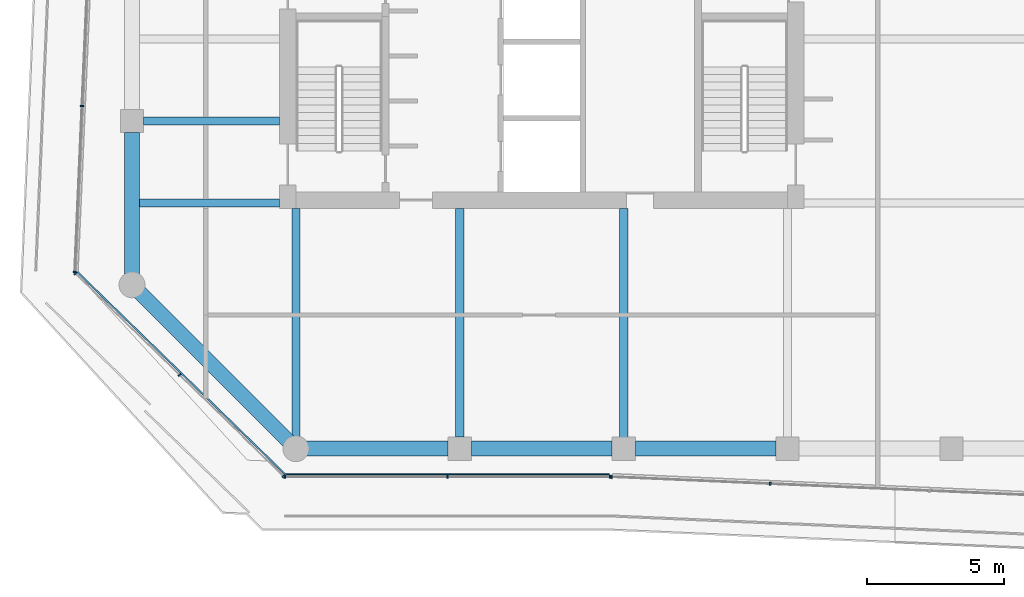
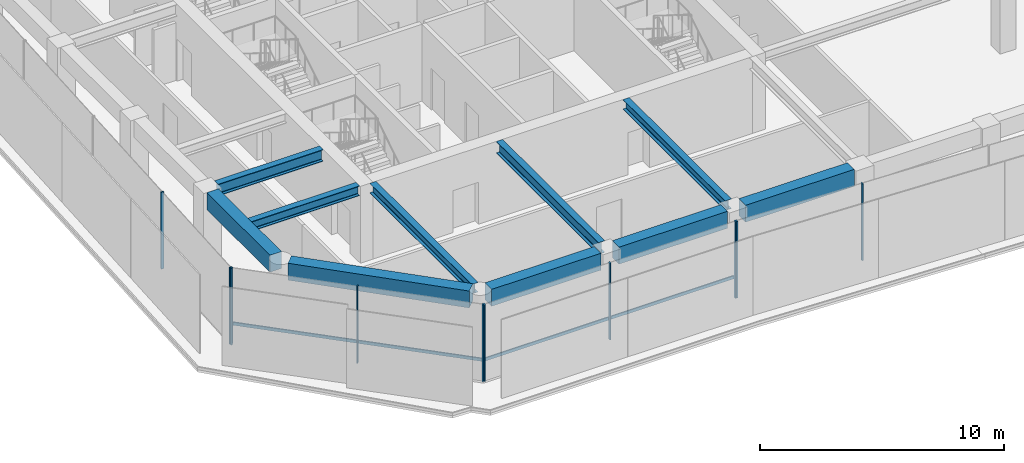
# One storey, part 2 of 21: 12 members, 10 beams, 4 elements without a shape of their own.
"""IFC4 building model written with IfcOpenShell, lengths in metres."""

import ifcopenshell
import ifcopenshell.guid

model = None  # the IFC model being written
_history = None  # IfcOwnerHistory: only IFC2X3 demands one
_inside = {}  # id of a spatial element -> (the spatial element, [elements in it])
_under = {}  # id of a project, library or spatial element -> (it, [spatial elements below it])
_declared = {}  # id of a project -> (the project, [libraries it declares])
_typed = {}  # id of a type object -> (the type object, [elements of that type])
_made_of = {}  # id of a material, layer set ... -> (it, [elements and type objects made of it])


def new_model(schema):
    """Start an empty IFC model of exactly this schema.

    Asked for "IFC4X3", IfcOpenShell would pick the latest addendum, in which some entities
    have other attributes; the version numbers below select the first issue.
    IFC2X3 requires an IfcOwnerHistory on every rooted entity: one is made here for all.
    """
    global model, _history
    if schema == "IFC4X3":
        model = ifcopenshell.file(schema_version=(4, 3, 0, 0))
    else:
        model = ifcopenshell.file(schema=schema)
    _inside.clear()
    _under.clear()
    _declared.clear()
    _typed.clear()
    _made_of.clear()
    _history = None
    if model.schema == "IFC2X3":
        org = make("IfcOrganization", Name="unknown")
        user = make(
            "IfcPersonAndOrganization",
            ThePerson=make("IfcPerson", FamilyName="unknown"),
            TheOrganization=org,
        )
        app = make(
            "IfcApplication",
            ApplicationDeveloper=org,
            Version="unknown",
            ApplicationFullName="unknown",
            ApplicationIdentifier="unknown",
        )
        _history = make(
            "IfcOwnerHistory",
            OwningUser=user,
            OwningApplication=app,
            ChangeAction="ADDED",
            CreationDate=0,
        )
    return model


def make(cls, **values):
    """One entity of the class cls with the attributes given. An attribute that is None is left unset."""
    return model.create_entity(
        cls, **{name: value for name, value in values.items() if value is not None}
    )


def rooted(cls, **values):
    """An entity with a GlobalId (a new one), such as an element, a storey or a relation."""
    return make(cls, GlobalId=ifcopenshell.guid.new(), OwnerHistory=_history, **values)


def si_unit(unit_type, name, prefix=None):
    """IfcSIUnit, for example si_unit("LENGTHUNIT", "METRE", prefix="MILLI")."""
    return make("IfcSIUnit", UnitType=unit_type, Prefix=prefix, Name=name)


def assignment(units):
    """IfcUnitAssignment: the units of a project."""
    return None if units is None else make("IfcUnitAssignment", Units=units)


def point(xyz):
    """IfcCartesianPoint."""
    return None if xyz is None else make("IfcCartesianPoint", Coordinates=xyz)


def direction(xyz):
    """IfcDirection."""
    return None if xyz is None else make("IfcDirection", DirectionRatios=xyz)


def frame(location, z_axis=None, x_axis=None):
    """IfcAxis2Placement3D, a coordinate frame: its origin and axes. An axis left out is left unset."""
    return make(
        "IfcAxis2Placement3D",
        Location=point(location),
        Axis=direction(z_axis),
        RefDirection=direction(x_axis),
    )


def frame_2d(location, x_axis=None):
    """IfcAxis2Placement2D, a coordinate frame in the plane: its origin and x axis."""
    return make(
        "IfcAxis2Placement2D", Location=point(location), RefDirection=direction(x_axis)
    )


def origin():
    """The frame at (0, 0, 0) with its axes left unset."""
    return frame((0.0, 0.0, 0.0))


def origin_2d():
    """The frame at (0, 0) in the plane with its x axis left unset."""
    return frame_2d((0.0, 0.0))


def place(relative_to, where):
    """IfcLocalPlacement: puts the frame where relative to a parent placement (None: the world)."""
    return make(
        "IfcLocalPlacement", PlacementRelTo=relative_to, RelativePlacement=where
    )


def context(
    kind, dimensions, precision=None, world=None, true_north=None, identifier=None
):
    """IfcGeometricRepresentationContext, for example the 3D "Model" context."""
    return make(
        "IfcGeometricRepresentationContext",
        ContextIdentifier=identifier,
        ContextType=kind,
        CoordinateSpaceDimension=dimensions,
        Precision=precision,
        WorldCoordinateSystem=world,
        TrueNorth=true_north,
    )


def subcontext(parent, identifier, kind, view, scale=None):
    """IfcGeometricRepresentationSubContext, for example "Body" below "Model"."""
    return make(
        "IfcGeometricRepresentationSubContext",
        ContextIdentifier=identifier,
        ContextType=kind,
        ParentContext=parent,
        TargetScale=scale,
        TargetView=view,
    )


def project(units=None, contexts=None):
    """IfcProject with its units and contexts."""
    return rooted(
        "IfcProject",
        Name="project",
        RepresentationContexts=contexts,
        UnitsInContext=assignment(units),
    )


def spatial(cls, under=None, at=None, **own):
    """A site, building, storey or space (cls), placed at a placement, below another one or the project."""
    s = rooted(cls, ObjectPlacement=at, **own)
    if under is not None:
        _under.setdefault(under.id(), (under, []))[1].append(s)
    return s


def profile(cls, at=None, kind="AREA", **sizes):
    """A parametric profile (cls). Its sizes go by their IFC names, for example OverallWidth=200.0."""
    return make(cls, ProfileType=kind, Position=at, **sizes)


def rectangle(**sizes):
    """IfcRectangleProfileDef."""
    return profile("IfcRectangleProfileDef", **sizes)


def i_section(**sizes):
    """IfcIShapeProfileDef."""
    return profile("IfcIShapeProfileDef", **sizes)


def extrude(swept, where, along, depth):
    """IfcExtrudedAreaSolid: the profile swept, set in the frame where, extruded along a direction by depth."""
    return make(
        "IfcExtrudedAreaSolid",
        SweptArea=swept,
        Position=where,
        ExtrudedDirection=direction(along),
        Depth=depth,
    )


def shape(context_of_items, identifier, shape_type, items):
    """IfcShapeRepresentation: the items that make up one representation, for example the "Body"."""
    return make(
        "IfcShapeRepresentation",
        ContextOfItems=context_of_items,
        RepresentationIdentifier=identifier,
        RepresentationType=shape_type,
        Items=items,
    )


def material(Name=None, Category=None):
    """IfcMaterial."""
    return make("IfcMaterial", Name=Name, Category=Category)


def layer(
    of_material, thickness, ventilated=None, Name=None, Category=None, Priority=None
):
    """IfcMaterialLayer: one layer of a wall or slab, of a material (None: an air gap)."""
    return make(
        "IfcMaterialLayer",
        Material=of_material,
        LayerThickness=thickness,
        IsVentilated=ventilated,
        Name=Name,
        Category=Category,
        Priority=Priority,
    )


def layer_set(layers, Name=None):
    """IfcMaterialLayerSet."""
    return make("IfcMaterialLayerSet", MaterialLayers=layers, LayerSetName=Name)


def material_profile(
    of_material, cross_section, Name=None, Category=None, Priority=None
):
    """IfcMaterialProfile: a cross section and its material."""
    return make(
        "IfcMaterialProfile",
        Name=Name,
        Material=of_material,
        Profile=cross_section,
        Priority=Priority,
        Category=Category,
    )


def profile_set(profiles, Name=None, composite=None):
    """IfcMaterialProfileSet."""
    return make(
        "IfcMaterialProfileSet",
        Name=Name,
        MaterialProfiles=profiles,
        CompositeProfile=composite,
    )


def made_of(thing, what):
    """Note that an element or type object is made of a material, layer set ...; save() writes the relation."""
    if what is not None:
        _made_of.setdefault(what.id(), (what, []))[1].append(thing)
    return thing


def type_object(cls, material=None, **own):
    """A type object (cls), such as IfcWallType, which elements share."""
    return made_of(rooted(cls, **own), material)


def element(
    cls,
    number,
    at=None,
    inside=None,
    cuts=None,
    type_object=None,
    material=None,
    context=None,
    identifier="Body",
    shape_type=None,
    held_by="IfcProductDefinitionShape",
    body=None,
    shapes=None,
    **own,
):
    """One element of the class cls, such as IfcWall. Its Tag is "e" and its number.

    at: its placement. inside: the storey or other place that contains it. cuts: it is an
    opening in that element (IfcRelVoidsElement). A single representation is given by context,
    identifier, shape_type and body (its items); several are given by shapes. held_by: the class
    of the entity that holds the representations. save() writes the other relations.
    """
    e = rooted(cls, Tag="e%d" % number, ObjectPlacement=at, **own)
    if body is not None:
        shapes = [shape(context, identifier, shape_type, body)]
    if shapes is not None:
        e.Representation = make(held_by, Representations=shapes)
    if inside is not None:
        _inside.setdefault(inside.id(), (inside, []))[1].append(e)
    if cuts is not None:
        rooted(
            "IfcRelVoidsElement", RelatingBuildingElement=cuts, RelatedOpeningElement=e
        )
    if type_object is not None:
        _typed.setdefault(type_object.id(), (type_object, []))[1].append(e)
    return made_of(e, material)


def aggregate(whole, parts):
    """IfcRelAggregates: a whole, such as a stair, and the parts it consists of."""
    return rooted("IfcRelAggregates", RelatingObject=whole, RelatedObjects=parts)


def save(model, path):
    """Write the relations noted so far, then the file.

    IfcRelAggregates (storeys below a building ...), IfcRelContainedInSpatialStructure (elements
    in a storey), IfcRelDefinesByType, IfcRelAssociatesMaterial and IfcRelDeclares: one each for
    every whole, place, type object, material and project.
    """
    for whole, parts in _under.values():
        aggregate(whole, parts)
    for where, things in _inside.values():
        rooted(
            "IfcRelContainedInSpatialStructure",
            RelatedElements=things,
            RelatingStructure=where,
        )
    for kind, things in _typed.values():
        rooted("IfcRelDefinesByType", RelatedObjects=things, RelatingType=kind)
    for what, things in _made_of.values():
        rooted("IfcRelAssociatesMaterial", RelatedObjects=things, RelatingMaterial=what)
    for by, libraries in _declared.values():
        rooted("IfcRelDeclares", RelatingContext=by, RelatedDefinitions=libraries)
    model.write(path)


model = new_model("IFC4")

# Units and contexts
model_context = context("Model", 3, precision=1e-05, world=origin(), true_north=direction((0.0, 1.0)))
body_context = subcontext(model_context, "Body", "Model", "MODEL_VIEW")
ifc_project = project(units=[si_unit("LENGTHUNIT", "METRE"), si_unit("AREAUNIT", "SQUARE_METRE"), si_unit("VOLUMEUNIT", "CUBIC_METRE"), si_unit("PLANEANGLEUNIT", "RADIAN"), si_unit("MASSUNIT", "GRAM", prefix="KILO")], contexts=[model_context])

# Site, building, storey
site_placement = place(None, origin())
site = spatial("IfcSite", under=ifc_project, at=site_placement, CompositionType="ELEMENT")
building_placement = place(site_placement, origin())
building = spatial("IfcBuilding", under=site, at=building_placement, Name="Welwitschia Terrace Campus", CompositionType="ELEMENT")
storey_placement = place(building_placement, frame((0.0, 0.0, 159.199951171875)))
storey = spatial("IfcBuildingStorey", under=building, at=storey_placement, Name="L35", CompositionType="ELEMENT", Elevation=159.199951171875)

# Beams
ifc_material_1 = material(Name="Steel S355", Category="steel")
ifc_material_profile_1 = material_profile(ifc_material_1, i_section(OverallWidth=0.300048828125, OverallDepth=0.489990234375, WebThickness=0.011962890625, FlangeThickness=0.02294921875, FilletRadius=0.027099609375, at=origin_2d()))
ifc_profile_set_1 = profile_set([ifc_material_profile_1], Name="Steel S355")
beam_type_1 = type_object("IfcBeamType", Name="Interior girder HE 500 A", PredefinedType="BEAM", material=ifc_profile_set_1)
beam_1_placement = place(storey_placement, frame((-0.010009765625, 5.0, 3.60498046875), z_axis=(1.0, 0.0, 0.0), x_axis=(0.0, 1.0, 0.0)))
element("IfcBeam", 1, at=beam_1_placement, inside=storey, type_object=beam_type_1, Name="Girder GB4", PredefinedType="BEAM", context=body_context, shape_type="SweptSolid", body=[
    extrude(i_section(OverallWidth=0.300048828125, OverallDepth=0.489990234375, WebThickness=0.011962890625, FlangeThickness=0.02294921875, FilletRadius=0.027099609375, at=origin_2d()), origin(), (0.0, 0.0, 1.0), 5.408935546875),
])
beam_2_placement = place(storey_placement, frame((6.0, -3.55859375, 3.60498046875), z_axis=(0.0, 1.0, 0.0), x_axis=(-1.0, 0.0, 0.0)))
element("IfcBeam", 2, at=beam_2_placement, inside=storey, type_object=beam_type_1, Name="Girder GB4", PredefinedType="BEAM", context=body_context, shape_type="SweptSolid", body=[
    extrude(i_section(OverallWidth=0.300048828125, OverallDepth=0.489990234375, WebThickness=0.011962890625, FlangeThickness=0.02294921875, FilletRadius=0.027099609375, at=origin_2d()), origin(), (0.0, 0.0, 1.0), 8.357666015625),
])
beam_3_placement = place(storey_placement, frame((18.0, -3.58447265625, 3.60498046875), z_axis=(0.0, 1.0, 0.0), x_axis=(-1.0, 0.0, 0.0)))
element("IfcBeam", 3, at=beam_3_placement, inside=storey, type_object=beam_type_1, Name="Girder GB4", PredefinedType="BEAM", context=body_context, shape_type="SweptSolid", body=[
    extrude(i_section(OverallWidth=0.300048828125, OverallDepth=0.489990234375, WebThickness=0.011962890625, FlangeThickness=0.02294921875, FilletRadius=0.027099609375, at=origin_2d()), origin(), (0.0, 0.0, 1.0), 8.383544921875),
])

# Curtain wall, members
ifc_material_2 = material(Name="Bronze anodised aluminium", Category="aluminium")
ifc_layer = layer(ifc_material_2, 0.1201171875)
ifc_layer_set = layer_set([ifc_layer], Name="Bronze anodised aluminium")
curtain_wall_type = type_object("IfcCurtainWallType", Name="Curtain wall CW2 tower 6000", PredefinedType="NOTDEFINED", material=ifc_layer_set)
curtain_wall_1_placement = place(storey_placement, origin())
curtain_wall_1 = element("IfcCurtainWall", 4, at=curtain_wall_1_placement, inside=storey, type_object=curtain_wall_type, Name="CW L35.0.0", PredefinedType="NOTDEFINED")
ifc_material_3 = material(Name="Bronze anodised aluminium", Category="aluminium")
ifc_material_profile_2 = material_profile(ifc_material_3, rectangle(XDim=0.1201171875, YDim=0.06005859375, at=origin_2d()))
ifc_profile_set_2 = profile_set([ifc_material_profile_2], Name="Bronze anodised aluminium")
member_type_1 = type_object("IfcMemberType", Name="Mullion 60x120", PredefinedType="MULLION", material=ifc_profile_set_2)
member_1_placement = place(storey_placement, frame((-1.830078125, 8.544677734375, 0.0), z_axis=(0.0, 0.0, 1.0), x_axis=(0.999048221582, -0.043619387365, 0.0)))
member_1 = element("IfcMember", 5, at=member_1_placement, type_object=member_type_1, Name="Mullion L35.0.0.3", PredefinedType="MULLION", context=body_context, shape_type="SweptSolid", body=[
    extrude(rectangle(XDim=0.1201171875, YDim=0.06005859375, at=origin_2d()), origin(), (0.0, 0.0, 1.0), 3.85009765625),
])
member_2_placement = place(storey_placement, frame((-2.095458984375, 2.46630859375, 0.0), z_axis=(0.0, 0.0, 1.0), x_axis=(0.999048221582, -0.043619387365, 0.0)))
member_2 = element("IfcMember", 6, at=member_2_placement, type_object=member_type_1, Name="Mullion L35.0.0.4", PredefinedType="MULLION", context=body_context, shape_type="SweptSolid", body=[
    extrude(rectangle(XDim=0.1201171875, YDim=0.06005859375, at=origin_2d()), origin(), (0.0, 0.0, 1.0), 3.85009765625),
])
aggregate(curtain_wall_1, [member_1, member_2])

curtain_wall_2_placement = place(storey_placement, origin())
curtain_wall_2 = element("IfcCurtainWall", 7, at=curtain_wall_2_placement, inside=storey, type_object=curtain_wall_type, Name="CW L35.1.0", PredefinedType="NOTDEFINED")
member_3_placement = place(storey_placement, frame((-2.0751953125, 2.41552734375, 0.0), z_axis=(0.0, 0.0, 1.0), x_axis=(0.697529610112, 0.716555959445, 0.0)))
member_3 = element("IfcMember", 8, at=member_3_placement, type_object=member_type_1, Name="Mullion L35.1.0.0", PredefinedType="MULLION", context=body_context, shape_type="SweptSolid", body=[
    extrude(rectangle(XDim=0.1201171875, YDim=0.06005859375, at=origin_2d()), origin(), (0.0, 0.0, 1.0), 3.85009765625),
])
member_4_placement = place(storey_placement, frame((1.73828125, -1.296875, 0.0), z_axis=(0.0, 0.0, 1.0), x_axis=(0.697529610112, 0.716555959445, 0.0)))
member_4 = element("IfcMember", 9, at=member_4_placement, type_object=member_type_1, Name="Mullion L35.1.0.1", PredefinedType="MULLION", context=body_context, shape_type="SweptSolid", body=[
    extrude(rectangle(XDim=0.1201171875, YDim=0.06005859375, at=origin_2d()), origin(), (0.0, 0.0, 1.0), 3.85009765625),
])
member_5_placement = place(storey_placement, frame((5.5517578125, -5.009033203125, 0.0), z_axis=(0.0, 0.0, 1.0), x_axis=(0.697529610112, 0.716555959445, 0.0)))
member_5 = element("IfcMember", 10, at=member_5_placement, type_object=member_type_1, Name="Mullion L35.1.0.2", PredefinedType="MULLION", context=body_context, shape_type="SweptSolid", body=[
    extrude(rectangle(XDim=0.1201171875, YDim=0.06005859375, at=origin_2d()), origin(), (0.0, 0.0, 1.0), 3.85009765625),
])

curtain_wall_3_placement = place(storey_placement, origin())
curtain_wall_3 = element("IfcCurtainWall", 11, at=curtain_wall_3_placement, inside=storey, type_object=curtain_wall_type, Name="CW L35.2.0", PredefinedType="NOTDEFINED")
member_6_placement = place(storey_placement, frame((5.603271484375, -5.030029296875, 0.0), z_axis=(0.0, 0.0, 1.0), x_axis=(0.0, 1.0, 0.0)))
member_6 = element("IfcMember", 12, at=member_6_placement, type_object=member_type_1, Name="Mullion L35.2.0.0", PredefinedType="MULLION", context=body_context, shape_type="SweptSolid", body=[
    extrude(rectangle(XDim=0.1201171875, YDim=0.06005859375, at=origin_2d()), origin(), (0.0, 0.0, 1.0), 3.85009765625),
])
member_7_placement = place(storey_placement, frame((11.55029296875, -5.030029296875, 0.0), z_axis=(0.0, 0.0, 1.0), x_axis=(0.0, 1.0, 0.0)))
member_7 = element("IfcMember", 13, at=member_7_placement, type_object=member_type_1, Name="Mullion L35.2.0.1", PredefinedType="MULLION", context=body_context, shape_type="SweptSolid", body=[
    extrude(rectangle(XDim=0.1201171875, YDim=0.06005859375, at=origin_2d()), origin(), (0.0, 0.0, 1.0), 3.85009765625),
])
member_8_placement = place(storey_placement, frame((17.497314453125, -5.030029296875, 0.0), z_axis=(0.0, 0.0, 1.0), x_axis=(0.0, 1.0, 0.0)))
member_8 = element("IfcMember", 14, at=member_8_placement, type_object=member_type_1, Name="Mullion L35.2.0.2", PredefinedType="MULLION", context=body_context, shape_type="SweptSolid", body=[
    extrude(rectangle(XDim=0.1201171875, YDim=0.06005859375, at=origin_2d()), origin(), (0.0, 0.0, 1.0), 3.85009765625),
])

curtain_wall_4_placement = place(storey_placement, origin())
curtain_wall_4 = element("IfcCurtainWall", 15, at=curtain_wall_4_placement, inside=storey, type_object=curtain_wall_type, Name="CW L35.3.0", PredefinedType="NOTDEFINED")
member_9_placement = place(storey_placement, frame((17.55712890625, -5.03125, 0.0), z_axis=(0.0, 0.0, 1.0), x_axis=(0.043619387365, 0.999048221582, 0.0)))
member_9 = element("IfcMember", 16, at=member_9_placement, type_object=member_type_1, Name="Mullion L35.3.0.0", PredefinedType="MULLION", context=body_context, shape_type="SweptSolid", body=[
    extrude(rectangle(XDim=0.1201171875, YDim=0.06005859375, at=origin_2d()), origin(), (0.0, 0.0, 1.0), 3.85009765625),
])
member_10_placement = place(storey_placement, frame((23.363525390625, -5.284912109375, 0.0), z_axis=(0.0, 0.0, 1.0), x_axis=(0.043619387365, 0.999048221582, 0.0)))
member_10 = element("IfcMember", 17, at=member_10_placement, type_object=member_type_1, Name="Mullion L35.3.0.1", PredefinedType="MULLION", context=body_context, shape_type="SweptSolid", body=[
    extrude(rectangle(XDim=0.1201171875, YDim=0.06005859375, at=origin_2d()), origin(), (0.0, 0.0, 1.0), 3.85009765625),
])
aggregate(curtain_wall_4, [member_9, member_10])

# Beams
ifc_material_4 = material(Name="Steel S355", Category="steel")
ifc_material_profile_3 = material_profile(ifc_material_4, i_section(OverallWidth=0.300048828125, OverallDepth=0.590087890625, WebThickness=0.012939453125, FlangeThickness=0.02490234375, FilletRadius=0.027099609375, at=origin_2d()))
ifc_profile_set_3 = profile_set([ifc_material_profile_3], Name="Steel S355")
beam_type_2 = type_object("IfcBeamType", Name="Primary beam HE 600 A", PredefinedType="BEAM", material=ifc_profile_set_3)
beam_4_placement = place(storey_placement, frame((12.0, -3.574462890625, 3.554931640625), z_axis=(0.0, 1.0, 0.0), x_axis=(-1.0, 0.0, 0.0)))
element("IfcBeam", 18, at=beam_4_placement, inside=storey, type_object=beam_type_2, Name="Primary beam PB4", PredefinedType="BEAM", context=body_context, shape_type="SweptSolid", body=[
    extrude(i_section(OverallWidth=0.300048828125, OverallDepth=0.590087890625, WebThickness=0.012939453125, FlangeThickness=0.02490234375, FilletRadius=0.027099609375, at=origin_2d()), origin(), (0.0, 0.0, 1.0), 8.37451171875),
])
beam_5_placement = place(storey_placement, frame((0.425537109375, 8.0, 3.554931640625), z_axis=(1.0, 0.0, 0.0), x_axis=(0.0, 1.0, 0.0)))
element("IfcBeam", 19, at=beam_5_placement, inside=storey, type_object=beam_type_2, Name="Primary beam PB4", PredefinedType="BEAM", context=body_context, shape_type="SweptSolid", body=[
    extrude(i_section(OverallWidth=0.300048828125, OverallDepth=0.590087890625, WebThickness=0.012939453125, FlangeThickness=0.02490234375, FilletRadius=0.027099609375, at=origin_2d()), origin(), (0.0, 0.0, 1.0), 4.974365234375),
])
ifc_material_5 = material(Name="Concrete C50/60", Category="concrete")
ifc_material_profile_4 = material_profile(ifc_material_5, rectangle(XDim=0.550048828125, YDim=0.85009765625, at=origin_2d()))
ifc_profile_set_4 = profile_set([ifc_material_profile_4], Name="Concrete C50/60")
beam_type_3 = type_object("IfcBeamType", Name="Ring spandrel 550x850", PredefinedType="SPANDREL", material=ifc_profile_set_4)
beam_6_placement = place(storey_placement, frame((0.2744140625, 1.7255859375, 3.425048828125), z_axis=(0.707106781187, -0.707106781187, 0.0), x_axis=(0.707106781187, 0.707106781187, 0.0)))
element("IfcBeam", 20, at=beam_6_placement, inside=storey, type_object=beam_type_3, Name="Spandrel SP3", PredefinedType="SPANDREL", context=body_context, shape_type="SweptSolid", body=[
    extrude(rectangle(XDim=0.550048828125, YDim=0.85009765625, at=origin_2d()), origin(), (0.0, 0.0, 1.0), 7.709228515625),
])
beam_7_placement = place(storey_placement, frame((6.387939453125, -4.0, 3.425048828125), z_axis=(1.0, 0.0, 0.0), x_axis=(0.0, 1.0, 0.0)))
element("IfcBeam", 21, at=beam_7_placement, inside=storey, type_object=beam_type_3, Name="Spandrel SP3", PredefinedType="SPANDREL", context=body_context, shape_type="SweptSolid", body=[
    extrude(rectangle(XDim=0.550048828125, YDim=0.85009765625, at=origin_2d()), origin(), (0.0, 0.0, 1.0), 5.1865234375),
])
for number, where, z_axis, x_axis, name in (
    (22, (12.425537109375, -4.0, 3.425048828125), (1.0, 0.0, 0.0), (0.0, 1.0, 0.0), "Spandrel SP3"),
    (23, (18.425537109375, -4.0, 3.425048828125), (1.0, 0.0, 0.0), (0.0, 1.0, 0.0), "Spandrel SP3"),
):
    element("IfcBeam", number, at=place(storey_placement, frame(where, z_axis=z_axis, x_axis=x_axis)), inside=storey, type_object=beam_type_3, Name=name, PredefinedType="SPANDREL", context=body_context, shape_type="SweptSolid", body=[
        extrude(rectangle(XDim=0.550048828125, YDim=0.85009765625, at=origin_2d()), origin(), (0.0, 0.0, 1.0), 5.14892578125),
    ])
beam_8_placement = place(storey_placement, frame((0.0, 7.574462890625, 3.425048828125), z_axis=(0.0, -1.0, 0.0), x_axis=(1.0, 0.0, 0.0)))
element("IfcBeam", 24, at=beam_8_placement, inside=storey, type_object=beam_type_3, Name="Spandrel SP3", PredefinedType="SPANDREL", context=body_context, shape_type="SweptSolid", body=[
    extrude(rectangle(XDim=0.550048828125, YDim=0.85009765625, at=origin_2d()), origin(), (0.0, 0.0, 1.0), 5.1865234375),
])

# Member
ifc_material_6 = material(Name="Bronze anodised aluminium", Category="aluminium")
ifc_material_profile_5 = material_profile(ifc_material_6, rectangle(XDim=0.06005859375, YDim=0.14990234375, at=origin_2d()))
ifc_profile_set_5 = profile_set([ifc_material_profile_5], Name="Bronze anodised aluminium")
member_type_2 = type_object("IfcMemberType", Name="Transom 60x150", PredefinedType="USERDEFINED", material=ifc_profile_set_5)
member_11_placement = place(storey_placement, frame((-1.990966796875, 2.458984375, 1.0), z_axis=(0.716569179954, -0.697516028734, 0.0), x_axis=(0.697516028734, 0.716569179954, 0.0)))
member_11 = element("IfcMember", 25, at=member_11_placement, type_object=member_type_2, Name="Transom L35.1.0", ObjectType="TRANSOM", PredefinedType="USERDEFINED", context=body_context, shape_type="SweptSolid", body=[
    extrude(rectangle(XDim=0.06005859375, YDim=0.14990234375, at=origin_2d()), origin(), (0.0, 0.0, 1.0), 10.583984375),
])

aggregate(curtain_wall_2, [member_3, member_4, member_5, member_11])

member_12_placement = place(storey_placement, frame((5.63330078125, -4.93994140625, 1.0), z_axis=(1.0, 0.0, 0.0), x_axis=(0.0, 1.0, 0.0)))
member_12 = element("IfcMember", 26, at=member_12_placement, type_object=member_type_2, Name="Transom L35.2.0", ObjectType="TRANSOM", PredefinedType="USERDEFINED", context=body_context, shape_type="SweptSolid", body=[
    extrude(rectangle(XDim=0.06005859375, YDim=0.14990234375, at=origin_2d()), origin(), (0.0, 0.0, 1.0), 11.833984375),
])

aggregate(curtain_wall_3, [member_6, member_7, member_8, member_12])

save(model, "model.ifc")
